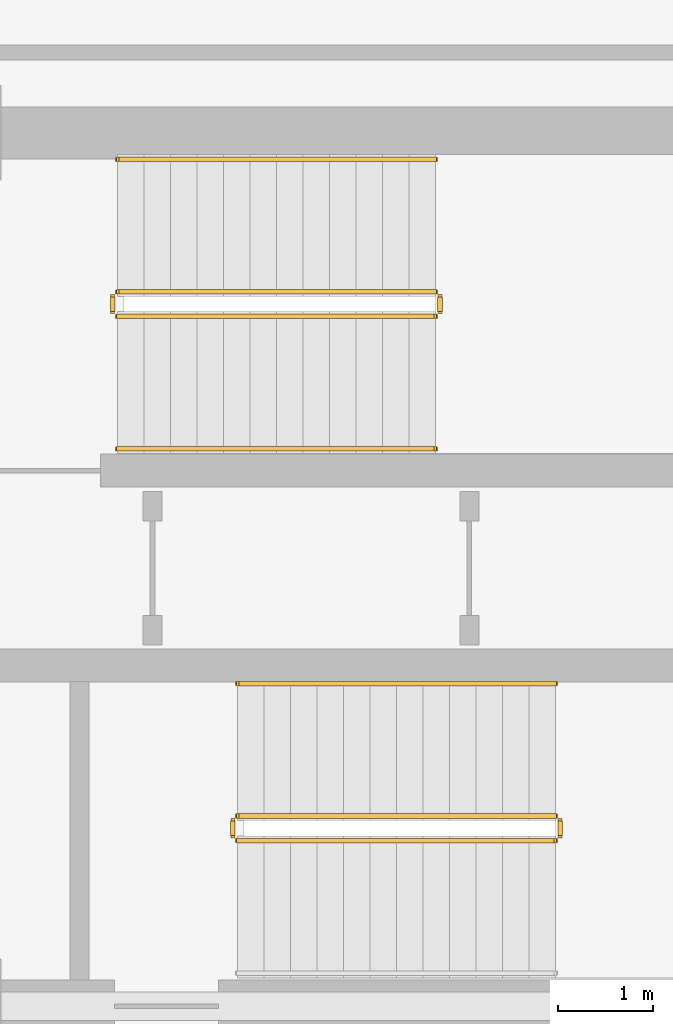
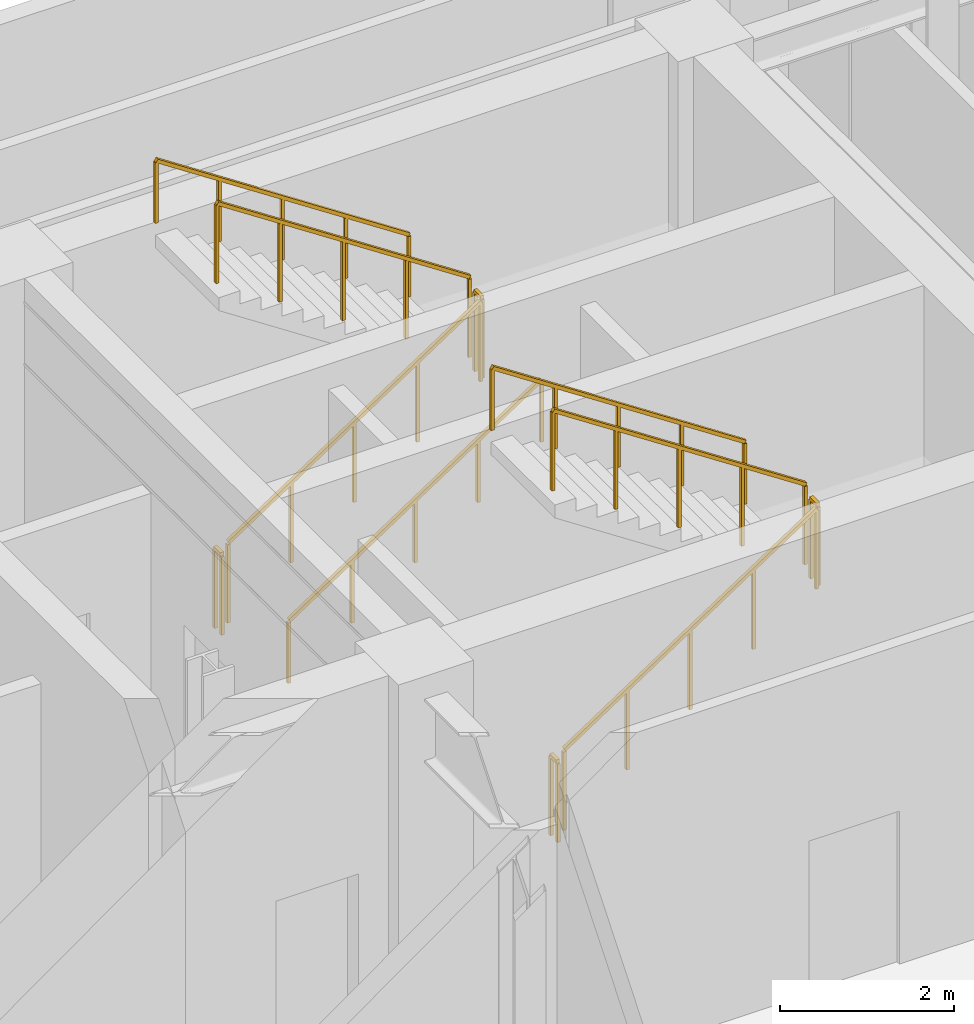
# One storey, part 12 of 12: 11 railings.
"""IFC4 building model written with IfcOpenShell, lengths in metres."""

from ifc_helpers import new_model, si_unit, direction, frame, origin, origin_2d, place, context, subcontext, project, spatial, rectangle, extrude, material, type_object, element, save


model = new_model("IFC4")

# Units and contexts
model_context = context("Model", 3, precision=1e-05, world=origin(), true_north=direction((0.0, 1.0)))
body_context = subcontext(model_context, "Body", "Model", "MODEL_VIEW")
ifc_project = project(units=[si_unit("LENGTHUNIT", "METRE"), si_unit("AREAUNIT", "SQUARE_METRE"), si_unit("VOLUMEUNIT", "CUBIC_METRE"), si_unit("PLANEANGLEUNIT", "RADIAN"), si_unit("MASSUNIT", "GRAM", prefix="KILO")], contexts=[model_context])

# Site, building, storey
site_placement = place(None, origin())
site = spatial("IfcSite", under=ifc_project, at=site_placement, CompositionType="ELEMENT")
building_placement = place(site_placement, origin())
building = spatial("IfcBuilding", under=site, at=building_placement, Name="Zarnavel Station Tower", CompositionType="ELEMENT")
storey_placement = place(building_placement, frame((0.0, 0.0, 188.39990234375)))
storey = spatial("IfcBuildingStorey", under=building, at=storey_placement, Name="L51", CompositionType="ELEMENT", Elevation=188.39990234375)

# Railings
ifc_material_1 = material(Name="Painted Steel S355J2 Balustrade", Category="steel")
railing_type_1 = type_object("IfcRailingType", Name="GR_INT_1150", PredefinedType="GUARDRAIL", material=ifc_material_1)
railing_1_placement = place(storey_placement, frame((38.080078125, 35.110107421875, 0.184814453125)))
element("IfcRailing", 1, at=railing_1_placement, inside=storey, type_object=railing_type_1, Name="L51 ST2 stair guard 1", PredefinedType="GUARDRAIL", context=body_context, shape_type="SweptSolid", body=[
    extrude(rectangle(XDim=0.048095703125, YDim=0.048095703125, at=origin_2d()), frame((0.001708984375, 0.0, 1.126953125), z_axis=(0.834858096282, 0.0, 0.550465220583), x_axis=(0.0, 1.0, 0.0)), (0.0, 0.0, 1.0), 4.0205078125),
    extrude(rectangle(XDim=0.0419921875, YDim=0.0419921875, at=origin_2d()), origin(), (0.0, 0.0, 1.0), 1.101806640625),
    extrude(rectangle(XDim=0.0419921875, YDim=0.0419921875, at=origin_2d()), frame((0.83984375, 0.0, 0.5537109375)), (0.0, 0.0, 1.0), 1.101806640625),
    extrude(rectangle(XDim=0.0419921875, YDim=0.0419921875, at=origin_2d()), frame((1.679931640625, 0.0, 1.107666015625)), (0.0, 0.0, 1.0), 1.101806640625),
    extrude(rectangle(XDim=0.0419921875, YDim=0.0419921875, at=origin_2d()), frame((2.52001953125, 0.0, 1.66162109375)), (0.0, 0.0, 1.0), 1.101806640625),
    extrude(rectangle(XDim=0.0419921875, YDim=0.0419921875, at=origin_2d()), frame((3.35986328125, 0.0, 2.21533203125)), (0.0, 0.0, 1.0), 1.101806640625),
])
railing_2_placement = place(storey_placement, frame((41.489990234375, 35.159912109375, 2.400146484375)))
element("IfcRailing", 2, at=railing_2_placement, inside=storey, type_object=railing_type_1, Name="L51 ST2 stair guard 2", PredefinedType="GUARDRAIL", context=body_context, shape_type="SweptSolid", body=[
    extrude(rectangle(XDim=0.048095703125, YDim=0.048095703125, at=origin_2d()), frame((0.0, 0.001953125, 1.1259765625), z_axis=(0.0, 1.0, 0.0), x_axis=(-1.0, 0.0, 0.0)), (0.0, 0.0, 1.0), 0.15625),
    extrude(rectangle(XDim=0.0419921875, YDim=0.0419921875, at=origin_2d()), origin(), (0.0, 0.0, 1.0), 1.101806640625),
    extrude(rectangle(XDim=0.0419921875, YDim=0.0419921875, at=origin_2d()), frame((0.0, 0.16015625, 0.0)), (0.0, 0.0, 1.0), 1.101806640625),
])
railing_3_placement = place(storey_placement, frame((41.43994140625, 35.3701171875, 2.584716796875)))
element("IfcRailing", 3, at=railing_3_placement, inside=storey, type_object=railing_type_1, Name="L51 ST2 stair guard 3", PredefinedType="GUARDRAIL", context=body_context, shape_type="SweptSolid", body=[
    extrude(rectangle(XDim=0.048095703125, YDim=0.048095703125, at=origin_2d()), frame((-0.001708984375, 0.0, 1.126953125), z_axis=(-0.834858096282, 0.0, 0.550465220583), x_axis=(0.0, -1.0, 0.0)), (0.0, 0.0, 1.0), 4.0205078125),
    extrude(rectangle(XDim=0.0419921875, YDim=0.0419921875, at=origin_2d()), origin(), (0.0, 0.0, 1.0), 1.101806640625),
    extrude(rectangle(XDim=0.0419921875, YDim=0.0419921875, at=origin_2d()), frame((-0.83984375, 0.0, 0.5537109375)), (0.0, 0.0, 1.0), 1.101806640625),
    extrude(rectangle(XDim=0.0419921875, YDim=0.0419921875, at=origin_2d()), frame((-1.679931640625, 0.0, 1.107666015625)), (0.0, 0.0, 1.0), 1.101806640625),
    extrude(rectangle(XDim=0.0419921875, YDim=0.0419921875, at=origin_2d()), frame((-2.52001953125, 0.0, 1.66162109375)), (0.0, 0.0, 1.0), 1.101806640625),
    extrude(rectangle(XDim=0.0419921875, YDim=0.0419921875, at=origin_2d()), frame((-3.35986328125, 0.0, 2.21533203125)), (0.0, 0.0, 1.0), 1.101806640625),
])
railing_4_placement = place(storey_placement, frame((38.030029296875, 35.159912109375, 0.0)))
element("IfcRailing", 4, at=railing_4_placement, inside=storey, type_object=railing_type_1, Name="L51 ST2 stair guard 4", PredefinedType="GUARDRAIL", context=body_context, shape_type="SweptSolid", body=[
    extrude(rectangle(XDim=0.048095703125, YDim=0.048095703125, at=origin_2d()), frame((0.0, 0.001953125, 1.1259765625), z_axis=(0.0, 1.0, 0.0), x_axis=(-1.0, 0.0, 0.0)), (0.0, 0.0, 1.0), 0.15625),
    extrude(rectangle(XDim=0.0419921875, YDim=0.0419921875, at=origin_2d()), origin(), (0.0, 0.0, 1.0), 1.101806640625),
    extrude(rectangle(XDim=0.0419921875, YDim=0.0419921875, at=origin_2d()), frame((0.0, 0.16015625, 0.0)), (0.0, 0.0, 1.0), 1.101806640625),
])
railing_5_placement = place(storey_placement, frame((39.35009765625, 29.570068359375, 0.184814453125)))
element("IfcRailing", 5, at=railing_5_placement, inside=storey, type_object=railing_type_1, Name="L51 ST3 stair guard 1", PredefinedType="GUARDRAIL", context=body_context, shape_type="SweptSolid", body=[
    extrude(rectangle(XDim=0.048095703125, YDim=0.048095703125, at=origin_2d()), frame((0.001708984375, 0.0, 1.126953125), z_axis=(0.834858096282, 0.0, 0.550465220583), x_axis=(0.0, 1.0, 0.0)), (0.0, 0.0, 1.0), 4.0205078125),
    extrude(rectangle(XDim=0.0419921875, YDim=0.0419921875, at=origin_2d()), origin(), (0.0, 0.0, 1.0), 1.101806640625),
    extrude(rectangle(XDim=0.0419921875, YDim=0.0419921875, at=origin_2d()), frame((0.83984375, 0.0, 0.5537109375)), (0.0, 0.0, 1.0), 1.101806640625),
    extrude(rectangle(XDim=0.0419921875, YDim=0.0419921875, at=origin_2d()), frame((1.679931640625, 0.0, 1.107666015625)), (0.0, 0.0, 1.0), 1.101806640625),
    extrude(rectangle(XDim=0.0419921875, YDim=0.0419921875, at=origin_2d()), frame((2.52001953125, 0.0, 1.66162109375)), (0.0, 0.0, 1.0), 1.101806640625),
    extrude(rectangle(XDim=0.0419921875, YDim=0.0419921875, at=origin_2d()), frame((3.35986328125, 0.0, 2.21533203125)), (0.0, 0.0, 1.0), 1.101806640625),
])
railing_6_placement = place(storey_placement, frame((42.760009765625, 29.6201171875, 2.400146484375)))
element("IfcRailing", 6, at=railing_6_placement, inside=storey, type_object=railing_type_1, Name="L51 ST3 stair guard 2", PredefinedType="GUARDRAIL", context=body_context, shape_type="SweptSolid", body=[
    extrude(rectangle(XDim=0.048095703125, YDim=0.048095703125, at=origin_2d()), frame((0.0, 0.001953125, 1.1259765625), z_axis=(0.0, 1.0, 0.0), x_axis=(-1.0, 0.0, 0.0)), (0.0, 0.0, 1.0), 0.156005859375),
    extrude(rectangle(XDim=0.0419921875, YDim=0.0419921875, at=origin_2d()), origin(), (0.0, 0.0, 1.0), 1.101806640625),
    extrude(rectangle(XDim=0.0419921875, YDim=0.0419921875, at=origin_2d()), frame((0.0, 0.159912109375, 0.0)), (0.0, 0.0, 1.0), 1.101806640625),
])
railing_7_placement = place(storey_placement, frame((42.7099609375, 29.830078125, 2.584716796875)))
element("IfcRailing", 7, at=railing_7_placement, inside=storey, type_object=railing_type_1, Name="L51 ST3 stair guard 3", PredefinedType="GUARDRAIL", context=body_context, shape_type="SweptSolid", body=[
    extrude(rectangle(XDim=0.048095703125, YDim=0.048095703125, at=origin_2d()), frame((-0.001708984375, 0.0, 1.126953125), z_axis=(-0.834858096282, 0.0, 0.550465220583), x_axis=(0.0, -1.0, 0.0)), (0.0, 0.0, 1.0), 4.0205078125),
    extrude(rectangle(XDim=0.0419921875, YDim=0.0419921875, at=origin_2d()), origin(), (0.0, 0.0, 1.0), 1.101806640625),
    extrude(rectangle(XDim=0.0419921875, YDim=0.0419921875, at=origin_2d()), frame((-0.83984375, 0.0, 0.5537109375)), (0.0, 0.0, 1.0), 1.101806640625),
    extrude(rectangle(XDim=0.0419921875, YDim=0.0419921875, at=origin_2d()), frame((-1.679931640625, 0.0, 1.107666015625)), (0.0, 0.0, 1.0), 1.101806640625),
    extrude(rectangle(XDim=0.0419921875, YDim=0.0419921875, at=origin_2d()), frame((-2.52001953125, 0.0, 1.66162109375)), (0.0, 0.0, 1.0), 1.101806640625),
    extrude(rectangle(XDim=0.0419921875, YDim=0.0419921875, at=origin_2d()), frame((-3.35986328125, 0.0, 2.21533203125)), (0.0, 0.0, 1.0), 1.101806640625),
])
railing_8_placement = place(storey_placement, frame((39.300048828125, 29.6201171875, 0.0)))
element("IfcRailing", 8, at=railing_8_placement, inside=storey, type_object=railing_type_1, Name="L51 ST3 stair guard 4", PredefinedType="GUARDRAIL", context=body_context, shape_type="SweptSolid", body=[
    extrude(rectangle(XDim=0.048095703125, YDim=0.048095703125, at=origin_2d()), frame((0.0, 0.001953125, 1.1259765625), z_axis=(0.0, 1.0, 0.0), x_axis=(-1.0, 0.0, 0.0)), (0.0, 0.0, 1.0), 0.156005859375),
    extrude(rectangle(XDim=0.0419921875, YDim=0.0419921875, at=origin_2d()), origin(), (0.0, 0.0, 1.0), 1.101806640625),
    extrude(rectangle(XDim=0.0419921875, YDim=0.0419921875, at=origin_2d()), frame((0.0, 0.159912109375, 0.0)), (0.0, 0.0, 1.0), 1.101806640625),
])
ifc_material_2 = material(Name="Brushed Stainless Steel S355J2 Handrail", Category="steel")
railing_type_2 = type_object("IfcRailingType", Name="HR_STAIR_900", PredefinedType="HANDRAIL", material=ifc_material_2)
railing_9_placement = place(storey_placement, frame((38.080078125, 33.7099609375, 0.184814453125)))
element("IfcRailing", 9, at=railing_9_placement, inside=storey, type_object=railing_type_2, Name="L51 ST2 stair handrail 1", PredefinedType="HANDRAIL", context=body_context, shape_type="SweptSolid", body=[
    extrude(rectangle(XDim=0.048095703125, YDim=0.048095703125, at=origin_2d()), frame((0.001708984375, 0.0, 0.876953125), z_axis=(0.834858096282, 0.0, 0.550465220583), x_axis=(0.0, 1.0, 0.0)), (0.0, 0.0, 1.0), 4.0205078125),
    extrude(rectangle(XDim=0.0419921875, YDim=0.0419921875, at=origin_2d()), origin(), (0.0, 0.0, 1.0), 0.851806640625),
    extrude(rectangle(XDim=0.0419921875, YDim=0.0419921875, at=origin_2d()), frame((0.83984375, 0.0, 0.5537109375)), (0.0, 0.0, 1.0), 0.851806640625),
    extrude(rectangle(XDim=0.0419921875, YDim=0.0419921875, at=origin_2d()), frame((1.679931640625, 0.0, 1.107666015625)), (0.0, 0.0, 1.0), 0.851806640625),
    extrude(rectangle(XDim=0.0419921875, YDim=0.0419921875, at=origin_2d()), frame((2.52001953125, 0.0, 1.66162109375)), (0.0, 0.0, 1.0), 0.851806640625),
    extrude(rectangle(XDim=0.0419921875, YDim=0.0419921875, at=origin_2d()), frame((3.35986328125, 0.0, 2.21533203125)), (0.0, 0.0, 1.0), 0.851806640625),
])
for number, where, name in (
    (10, (41.43994140625, 36.77001953125, 2.584716796875), "L51 ST2 stair handrail 2"),
    (11, (42.7099609375, 31.22998046875, 2.584716796875), "L51 ST3 stair handrail 2"),
):
    element("IfcRailing", number, at=place(storey_placement, frame(where)), inside=storey, type_object=railing_type_2, Name=name, PredefinedType="HANDRAIL", context=body_context, shape_type="SweptSolid", body=[
        extrude(rectangle(XDim=0.048095703125, YDim=0.048095703125, at=origin_2d()), frame((-0.001708984375, 0.0, 0.876953125), z_axis=(-0.834858096282, 0.0, 0.550465220583), x_axis=(0.0, -1.0, 0.0)), (0.0, 0.0, 1.0), 4.0205078125),
        extrude(rectangle(XDim=0.0419921875, YDim=0.0419921875, at=origin_2d()), origin(), (0.0, 0.0, 1.0), 0.851806640625),
        extrude(rectangle(XDim=0.0419921875, YDim=0.0419921875, at=origin_2d()), frame((-0.83984375, 0.0, 0.5537109375)), (0.0, 0.0, 1.0), 0.851806640625),
        extrude(rectangle(XDim=0.0419921875, YDim=0.0419921875, at=origin_2d()), frame((-1.679931640625, 0.0, 1.107666015625)), (0.0, 0.0, 1.0), 0.851806640625),
        extrude(rectangle(XDim=0.0419921875, YDim=0.0419921875, at=origin_2d()), frame((-2.52001953125, 0.0, 1.66162109375)), (0.0, 0.0, 1.0), 0.851806640625),
        extrude(rectangle(XDim=0.0419921875, YDim=0.0419921875, at=origin_2d()), frame((-3.35986328125, 0.0, 2.21533203125)), (0.0, 0.0, 1.0), 0.851806640625),
    ])

save(model, "model.ifc")
